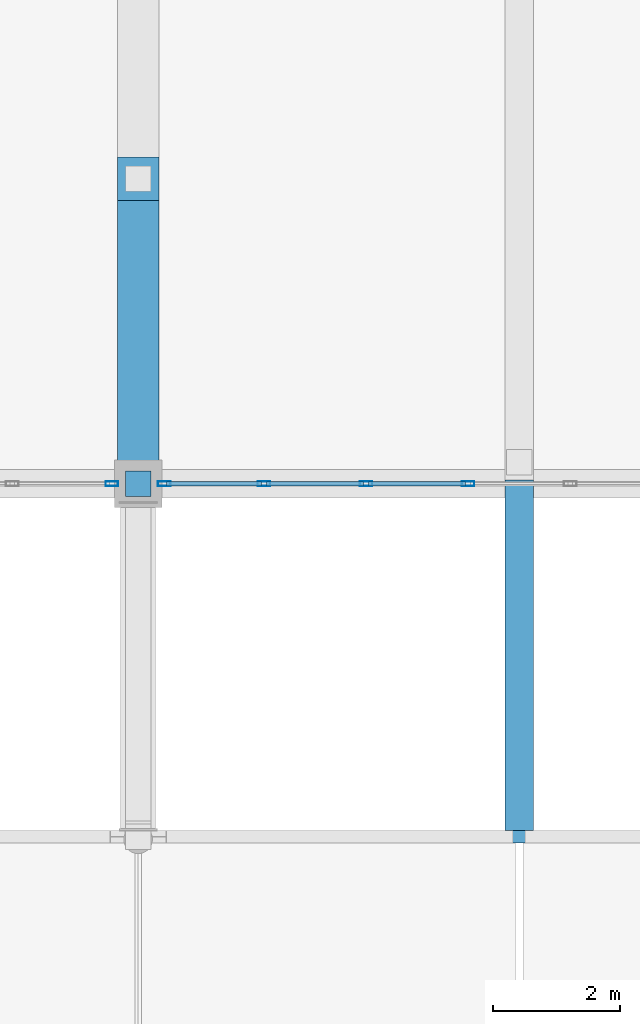
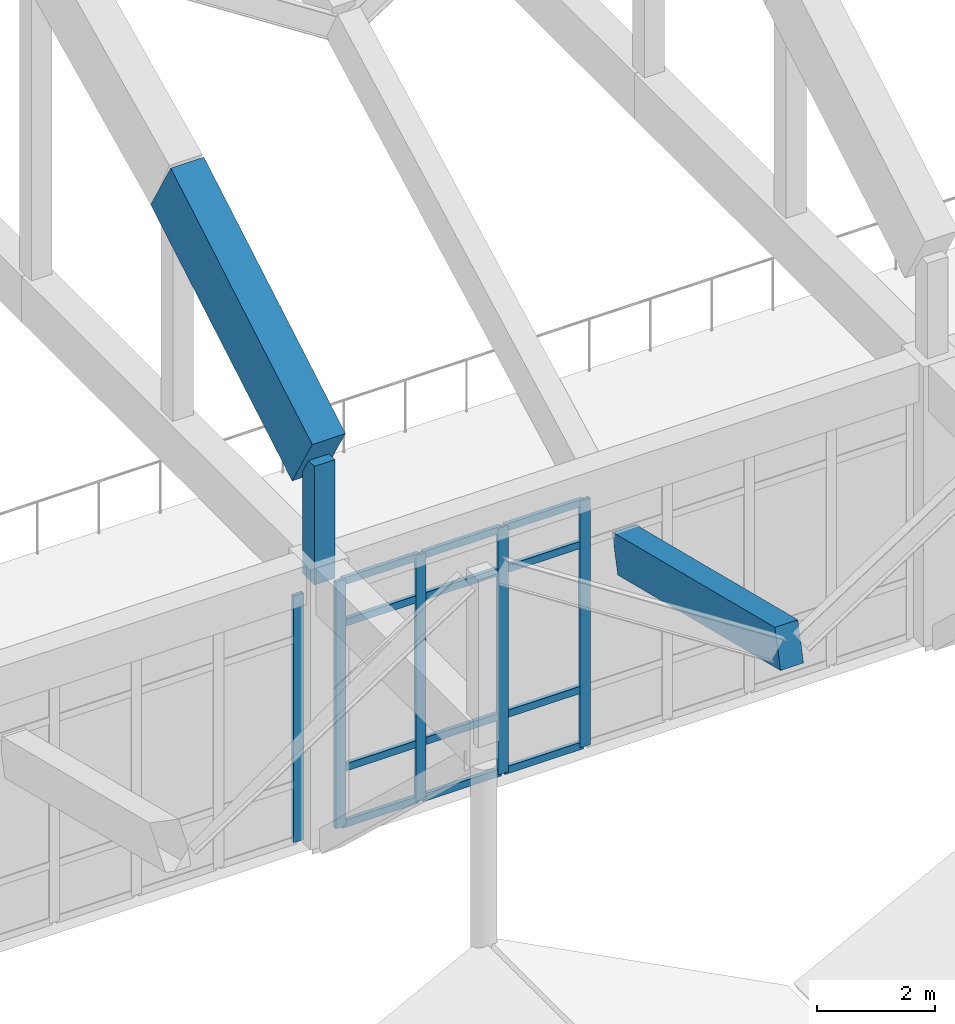
# One storey, part 52 of 236: 19 members, 1 beam, 2 elements without a shape of their own.
"""IFC4 building model written with IfcOpenShell, lengths in metres."""

from ifc_helpers import new_model, si_unit, direction, frame, origin, origin_2d, place, context, subcontext, project, spatial, rectangle, hollow_rectangle, extrude, material, layer, layer_set, material_profile, profile_set, type_object, element, aggregate, save


model = new_model("IFC4")

# Units and contexts
model_context = context("Model", 3, precision=1e-05, world=origin(), true_north=direction((0.0, 1.0)))
body_context = subcontext(model_context, "Body", "Model", "MODEL_VIEW")
ifc_project = project(units=[si_unit("LENGTHUNIT", "METRE"), si_unit("AREAUNIT", "SQUARE_METRE"), si_unit("VOLUMEUNIT", "CUBIC_METRE"), si_unit("PLANEANGLEUNIT", "RADIAN"), si_unit("MASSUNIT", "GRAM", prefix="KILO")], contexts=[model_context])

# Site, building, storey
site_placement = place(None, origin())
site = spatial("IfcSite", under=ifc_project, at=site_placement, CompositionType="ELEMENT")
building_placement = place(site_placement, origin())
building = spatial("IfcBuilding", under=site, at=building_placement, Name="Pandanus Reach Market Hall", CompositionType="ELEMENT")
storey_placement = place(building_placement, frame((0.0, 0.0, 5.39990234375)))
storey = spatial("IfcBuildingStorey", under=building, at=storey_placement, Name="L01", CompositionType="ELEMENT", Elevation=5.39990234375)

# Members
ifc_material_1 = material(Name="Concrete N50 (50 MPa)", Category="concrete")
ifc_material_profile_1 = material_profile(ifc_material_1, rectangle(XDim=0.64990234375, YDim=1.35009765625, at=origin_2d()), Name="RC650x1350", Category="LoadBearing")
ifc_profile_set_1 = profile_set([ifc_material_profile_1], Name="Concrete N50 (50 MPa)")
member_type_1 = type_object("IfcMemberType", Name="AR-RC650-E", PredefinedType="CHORD", material=ifc_profile_set_1)
member_1_placement = place(storey_placement, frame((84.0, 28.800048828125, 7.780029296875), z_axis=(0.0, 0.862897305689, 0.505379302935), x_axis=(-1.0, 0.0, 0.0)))
element("IfcMember", 1, at=member_1_placement, inside=storey, type_object=member_type_1, Name="Parabolic arch top chord A4.1", PredefinedType="CHORD", context=body_context, shape_type="SweptSolid", body=[
    extrude(rectangle(XDim=0.64990234375, YDim=1.35009765625, at=origin_2d()), origin(), (0.0, 0.0, 1.0), 5.562744140625),
])
ifc_material_profile_2 = material_profile(ifc_material_1, rectangle(XDim=0.39990234375, YDim=0.39990234375, at=origin_2d()), Name="RC400x400", Category="LoadBearing")
ifc_profile_set_2 = profile_set([ifc_material_profile_2], Name="Concrete N50 (50 MPa)")
member_type_2 = type_object("IfcMemberType", Name="AR-WEB400-E", PredefinedType="STRUT", material=ifc_profile_set_2)
member_2_placement = place(storey_placement, frame((84.0, 28.800048828125, 5.3251953125), z_axis=(0.0, 0.0, 1.0), x_axis=(1.0, 0.0, 0.0)))
element("IfcMember", 2, at=member_2_placement, inside=storey, type_object=member_type_2, Name="Arch springing concrete strut A4.S", PredefinedType="STRUT", context=body_context, shape_type="SweptSolid", body=[
    extrude(rectangle(XDim=0.39990234375, YDim=0.39990234375, at=origin_2d()), origin(), (0.0, 0.0, 1.0), 2.454833984375),
])

# Beam
ifc_material_2 = material(Name="Concrete N40 (40 MPa)", Category="concrete")
ifc_material_profile_3 = material_profile(ifc_material_2, rectangle(XDim=0.449951171875, YDim=0.800048828125, at=origin_2d()), Name="RC450x800", Category="LoadBearing")
ifc_profile_set_3 = profile_set([ifc_material_profile_3], Name="Concrete N40 (40 MPa)")
beam_type = type_object("IfcBeamType", Name="BM-RC450-I", PredefinedType="BEAM", material=ifc_profile_set_3)
beam_placement = place(storey_placement, frame((90.0, 23.239990234375, 5.16015625), z_axis=(0.0, 0.97055017704, -0.240899053231), x_axis=(-1.0, 0.0, 0.0)))
element("IfcBeam", 3, at=beam_placement, inside=storey, type_object=beam_type, Name="Butterfly valley beam B4.1", PredefinedType="BEAM", context=body_context, shape_type="SweptSolid", body=[
    extrude(rectangle(XDim=0.449951171875, YDim=0.800048828125, at=origin_2d()), origin(), (0.0, 0.0, 1.0), 5.6875),
])

# Curtain wall, member
ifc_material_3 = material(Name="Bronze anodised aluminium and low-E glass", Category="aluminium")
ifc_layer = layer(ifc_material_3, 0.199951171875, Name="CW-02")
ifc_layer_set = layer_set([ifc_layer], Name="Bronze anodised aluminium and low-E glass")
curtain_wall_type = type_object("IfcCurtainWallType", Name="CW-02", PredefinedType="NOTDEFINED", material=ifc_layer_set)
curtain_wall_1_placement = place(storey_placement, origin())
curtain_wall_1 = element("IfcCurtainWall", 4, at=curtain_wall_1_placement, inside=storey, type_object=curtain_wall_type, Name="Glazed curtain wall CW-02 CW-0004", PredefinedType="NOTDEFINED")
ifc_material_4 = material(Name="Bronze anodised aluminium", Category="aluminium")
ifc_material_profile_4 = material_profile(ifc_material_4, hollow_rectangle(XDim=0.074951171875, YDim=0.199951171875, WallThickness=0.00439453125, at=origin_2d()), Name="ALU75x200", Category="LoadBearing")
ifc_profile_set_4 = profile_set([ifc_material_profile_4], Name="Bronze anodised aluminium")
member_type_3 = type_object("IfcMemberType", Name="CW-M2", PredefinedType="MULLION", material=ifc_profile_set_4)
member_3_placement = place(storey_placement, frame((83.58740234375, 28.800048828125, 0.0), z_axis=(0.0, 0.0, 1.0), x_axis=(0.0, 1.0, 0.0)))
member_3 = element("IfcMember", 5, at=member_3_placement, type_object=member_type_3, Name="CW-02 mullion 8", PredefinedType="MULLION", context=body_context, shape_type="SweptSolid", body=[
    extrude(hollow_rectangle(XDim=0.074951171875, YDim=0.199951171875, WallThickness=0.00439453125, at=origin_2d()), origin(), (0.0, 0.0, 1.0), 5.10009765625),
])
aggregate(curtain_wall_1, [member_3])

# Curtain wall, members
curtain_wall_2_placement = place(storey_placement, origin())
curtain_wall_2 = element("IfcCurtainWall", 6, at=curtain_wall_2_placement, inside=storey, type_object=curtain_wall_type, Name="Glazed curtain wall CW-02 CW-0005", PredefinedType="NOTDEFINED")
member_4_placement = place(storey_placement, frame((84.41259765625, 28.800048828125, 0.0), z_axis=(0.0, 0.0, 1.0), x_axis=(0.0, 1.0, 0.0)))
member_4 = element("IfcMember", 7, at=member_4_placement, type_object=member_type_3, Name="CW-02 mullion 1", PredefinedType="MULLION", context=body_context, shape_type="SweptSolid", body=[
    extrude(hollow_rectangle(XDim=0.074951171875, YDim=0.199951171875, WallThickness=0.00439453125, at=origin_2d()), origin(), (0.0, 0.0, 1.0), 5.10009765625),
])
member_5_placement = place(storey_placement, frame((85.982177734375, 28.800048828125, 0.0), z_axis=(0.0, 0.0, 1.0), x_axis=(0.0, 1.0, 0.0)))
member_5 = element("IfcMember", 8, at=member_5_placement, type_object=member_type_3, Name="CW-02 mullion 2", PredefinedType="MULLION", context=body_context, shape_type="SweptSolid", body=[
    extrude(hollow_rectangle(XDim=0.074951171875, YDim=0.199951171875, WallThickness=0.00439453125, at=origin_2d()), origin(), (0.0, 0.0, 1.0), 5.10009765625),
])
member_6_placement = place(storey_placement, frame((87.58935546875, 28.800048828125, 0.0), z_axis=(0.0, 0.0, 1.0), x_axis=(0.0, 1.0, 0.0)))
member_6 = element("IfcMember", 9, at=member_6_placement, type_object=member_type_3, Name="CW-02 mullion 3", PredefinedType="MULLION", context=body_context, shape_type="SweptSolid", body=[
    extrude(hollow_rectangle(XDim=0.074951171875, YDim=0.199951171875, WallThickness=0.00439453125, at=origin_2d()), origin(), (0.0, 0.0, 1.0), 5.10009765625),
])
member_7_placement = place(storey_placement, frame((89.196533203125, 28.800048828125, 0.0), z_axis=(0.0, 0.0, 1.0), x_axis=(0.0, 1.0, 0.0)))
member_7 = element("IfcMember", 10, at=member_7_placement, type_object=member_type_3, Name="CW-02 mullion 4", PredefinedType="MULLION", context=body_context, shape_type="SweptSolid", body=[
    extrude(hollow_rectangle(XDim=0.074951171875, YDim=0.199951171875, WallThickness=0.00439453125, at=origin_2d()), origin(), (0.0, 0.0, 1.0), 5.10009765625),
])
ifc_material_profile_5 = material_profile(ifc_material_4, hollow_rectangle(XDim=0.074951171875, YDim=0.14990234375, WallThickness=0.00439453125, at=origin_2d()), Name="ALU75x150", Category="LoadBearing")
ifc_profile_set_5 = profile_set([ifc_material_profile_5], Name="Bronze anodised aluminium")
member_type_4 = type_object("IfcMemberType", Name="CW-T2", PredefinedType="USERDEFINED", material=ifc_profile_set_5)
member_8_placement = place(storey_placement, frame((84.449951171875, 28.800048828125, 0.03759765625), z_axis=(1.0, 0.0, 0.0), x_axis=(0.0, 1.0, 0.0)))
member_8 = element("IfcMember", 11, at=member_8_placement, type_object=member_type_4, Name="CW-02 transom 1.1", ObjectType="TRANSOM", PredefinedType="USERDEFINED", context=body_context, shape_type="SweptSolid", body=[
    extrude(hollow_rectangle(XDim=0.074951171875, YDim=0.14990234375, WallThickness=0.00439453125, at=origin_2d()), origin(), (0.0, 0.0, 1.0), 1.49462890625),
])
member_9_placement = place(storey_placement, frame((84.449951171875, 28.800048828125, 1.2001953125), z_axis=(1.0, 0.0, 0.0), x_axis=(0.0, 1.0, 0.0)))
member_9 = element("IfcMember", 12, at=member_9_placement, type_object=member_type_4, Name="CW-02 transom 1.2", ObjectType="TRANSOM", PredefinedType="USERDEFINED", context=body_context, shape_type="SweptSolid", body=[
    extrude(hollow_rectangle(XDim=0.074951171875, YDim=0.14990234375, WallThickness=0.00439453125, at=origin_2d()), origin(), (0.0, 0.0, 1.0), 1.49462890625),
])
member_10_placement = place(storey_placement, frame((84.449951171875, 28.800048828125, 4.2001953125), z_axis=(1.0, 0.0, 0.0), x_axis=(0.0, 1.0, 0.0)))
member_10 = element("IfcMember", 13, at=member_10_placement, type_object=member_type_4, Name="CW-02 transom 1.3", ObjectType="TRANSOM", PredefinedType="USERDEFINED", context=body_context, shape_type="SweptSolid", body=[
    extrude(hollow_rectangle(XDim=0.074951171875, YDim=0.14990234375, WallThickness=0.00439453125, at=origin_2d()), origin(), (0.0, 0.0, 1.0), 1.49462890625),
])
member_11_placement = place(storey_placement, frame((84.449951171875, 28.800048828125, 5.0625), z_axis=(1.0, 0.0, 0.0), x_axis=(0.0, 1.0, 0.0)))
member_11 = element("IfcMember", 14, at=member_11_placement, type_object=member_type_4, Name="CW-02 transom 1.4", ObjectType="TRANSOM", PredefinedType="USERDEFINED", context=body_context, shape_type="SweptSolid", body=[
    extrude(hollow_rectangle(XDim=0.074951171875, YDim=0.14990234375, WallThickness=0.00439453125, at=origin_2d()), origin(), (0.0, 0.0, 1.0), 1.49462890625),
])
member_12_placement = place(storey_placement, frame((86.01953125, 28.800048828125, 0.03759765625), z_axis=(1.0, 0.0, 0.0), x_axis=(0.0, 1.0, 0.0)))
member_12 = element("IfcMember", 15, at=member_12_placement, type_object=member_type_4, Name="CW-02 transom 2.1", ObjectType="TRANSOM", PredefinedType="USERDEFINED", context=body_context, shape_type="SweptSolid", body=[
    extrude(hollow_rectangle(XDim=0.074951171875, YDim=0.14990234375, WallThickness=0.00439453125, at=origin_2d()), origin(), (0.0, 0.0, 1.0), 1.5322265625),
])
member_13_placement = place(storey_placement, frame((86.01953125, 28.800048828125, 1.2001953125), z_axis=(1.0, 0.0, 0.0), x_axis=(0.0, 1.0, 0.0)))
member_13 = element("IfcMember", 16, at=member_13_placement, type_object=member_type_4, Name="CW-02 transom 2.2", ObjectType="TRANSOM", PredefinedType="USERDEFINED", context=body_context, shape_type="SweptSolid", body=[
    extrude(hollow_rectangle(XDim=0.074951171875, YDim=0.14990234375, WallThickness=0.00439453125, at=origin_2d()), origin(), (0.0, 0.0, 1.0), 1.5322265625),
])
member_14_placement = place(storey_placement, frame((86.01953125, 28.800048828125, 4.2001953125), z_axis=(1.0, 0.0, 0.0), x_axis=(0.0, 1.0, 0.0)))
member_14 = element("IfcMember", 17, at=member_14_placement, type_object=member_type_4, Name="CW-02 transom 2.3", ObjectType="TRANSOM", PredefinedType="USERDEFINED", context=body_context, shape_type="SweptSolid", body=[
    extrude(hollow_rectangle(XDim=0.074951171875, YDim=0.14990234375, WallThickness=0.00439453125, at=origin_2d()), origin(), (0.0, 0.0, 1.0), 1.5322265625),
])
member_15_placement = place(storey_placement, frame((86.01953125, 28.800048828125, 5.0625), z_axis=(1.0, 0.0, 0.0), x_axis=(0.0, 1.0, 0.0)))
member_15 = element("IfcMember", 18, at=member_15_placement, type_object=member_type_4, Name="CW-02 transom 2.4", ObjectType="TRANSOM", PredefinedType="USERDEFINED", context=body_context, shape_type="SweptSolid", body=[
    extrude(hollow_rectangle(XDim=0.074951171875, YDim=0.14990234375, WallThickness=0.00439453125, at=origin_2d()), origin(), (0.0, 0.0, 1.0), 1.5322265625),
])
member_16_placement = place(storey_placement, frame((87.626708984375, 28.800048828125, 0.03759765625), z_axis=(1.0, 0.0, 0.0), x_axis=(0.0, 1.0, 0.0)))
member_16 = element("IfcMember", 19, at=member_16_placement, type_object=member_type_4, Name="CW-02 transom 3.1", ObjectType="TRANSOM", PredefinedType="USERDEFINED", context=body_context, shape_type="SweptSolid", body=[
    extrude(hollow_rectangle(XDim=0.074951171875, YDim=0.14990234375, WallThickness=0.00439453125, at=origin_2d()), origin(), (0.0, 0.0, 1.0), 1.5322265625),
])
member_17_placement = place(storey_placement, frame((87.626708984375, 28.800048828125, 1.2001953125), z_axis=(1.0, 0.0, 0.0), x_axis=(0.0, 1.0, 0.0)))
member_17 = element("IfcMember", 20, at=member_17_placement, type_object=member_type_4, Name="CW-02 transom 3.2", ObjectType="TRANSOM", PredefinedType="USERDEFINED", context=body_context, shape_type="SweptSolid", body=[
    extrude(hollow_rectangle(XDim=0.074951171875, YDim=0.14990234375, WallThickness=0.00439453125, at=origin_2d()), origin(), (0.0, 0.0, 1.0), 1.5322265625),
])
member_18_placement = place(storey_placement, frame((87.626708984375, 28.800048828125, 4.2001953125), z_axis=(1.0, 0.0, 0.0), x_axis=(0.0, 1.0, 0.0)))
member_18 = element("IfcMember", 21, at=member_18_placement, type_object=member_type_4, Name="CW-02 transom 3.3", ObjectType="TRANSOM", PredefinedType="USERDEFINED", context=body_context, shape_type="SweptSolid", body=[
    extrude(hollow_rectangle(XDim=0.074951171875, YDim=0.14990234375, WallThickness=0.00439453125, at=origin_2d()), origin(), (0.0, 0.0, 1.0), 1.5322265625),
])
member_19_placement = place(storey_placement, frame((87.626708984375, 28.800048828125, 5.0625), z_axis=(1.0, 0.0, 0.0), x_axis=(0.0, 1.0, 0.0)))
member_19 = element("IfcMember", 22, at=member_19_placement, type_object=member_type_4, Name="CW-02 transom 3.4", ObjectType="TRANSOM", PredefinedType="USERDEFINED", context=body_context, shape_type="SweptSolid", body=[
    extrude(hollow_rectangle(XDim=0.074951171875, YDim=0.14990234375, WallThickness=0.00439453125, at=origin_2d()), origin(), (0.0, 0.0, 1.0), 1.5322265625),
])
aggregate(curtain_wall_2, [member_4, member_5, member_6, member_7, member_8, member_9, member_10, member_11, member_12, member_13, member_14, member_15, member_16, member_17, member_18, member_19])

save(model, "model.ifc")
